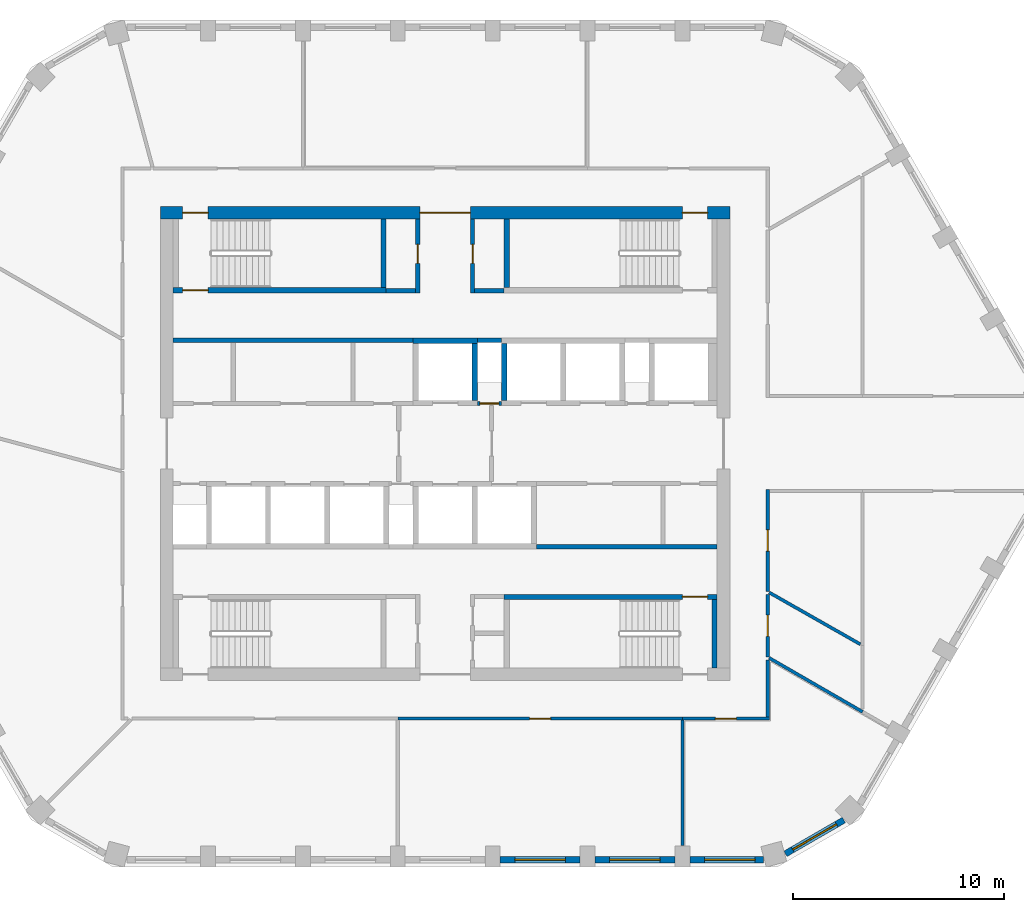
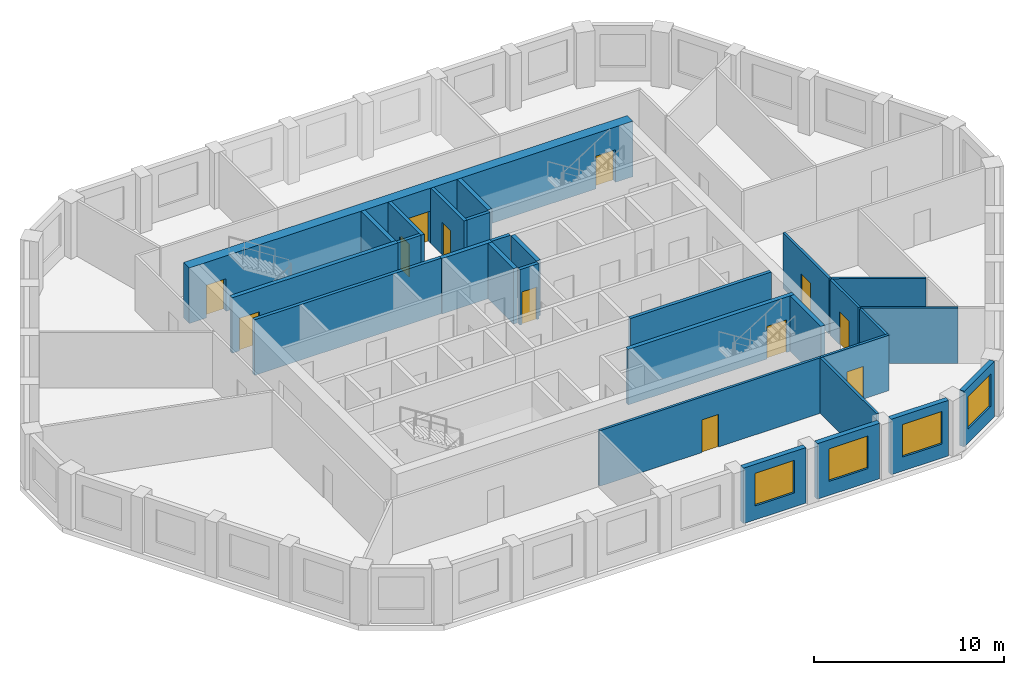
# One storey, part 4 of 10: 29 walls, 12 doors, 4 windows, 16 openings.
"""IFC4 building model written with IfcOpenShell, lengths in metres."""

from ifc_helpers import new_model, si_unit, direction, frame, frame_2d, origin, place, context, subcontext, project, spatial, polyline, rectangle, outline, extrude, material, layer, layer_set, type_object, element, fill, save


model = new_model("IFC4")

# Units and contexts
model_context = context("Model", 3, precision=1e-05, world=origin(), true_north=direction((0.0, 1.0)))
body_context = subcontext(model_context, "Body", "Model", "MODEL_VIEW")
ifc_project = project(units=[si_unit("LENGTHUNIT", "METRE"), si_unit("AREAUNIT", "SQUARE_METRE"), si_unit("VOLUMEUNIT", "CUBIC_METRE"), si_unit("PLANEANGLEUNIT", "RADIAN"), si_unit("MASSUNIT", "GRAM", prefix="KILO")], contexts=[model_context])

# Site, building, storey
site_placement = place(None, origin())
site = spatial("IfcSite", under=ifc_project, at=site_placement, CompositionType="ELEMENT")
building_placement = place(site_placement, origin())
building = spatial("IfcBuilding", under=site, at=building_placement, Name="Dhurran Vertical Campus", CompositionType="ELEMENT")
storey_placement = place(building_placement, frame((0.0, 0.0, 246.89990234375)))
storey = spatial("IfcBuildingStorey", under=building, at=storey_placement, Name="L61", CompositionType="ELEMENT", Elevation=246.89990234375)

# Wall, opening, window
ifc_material_1 = material(Name="Precast concrete C50/60", Category="concrete")
ifc_layer_1 = layer(ifc_material_1, 0.300048828125)
ifc_layer_set_1 = layer_set([ifc_layer_1], Name="Precast concrete C50/60")
wall_type_1 = type_object("IfcWallType", Name="Precast spandrel wall 300", PredefinedType="SOLIDWALL", material=ifc_layer_set_1)
wall_1_placement = place(storey_placement, frame((2.6005859375, -19.738525390625, 0.0), z_axis=(0.0, 0.0, 1.0), x_axis=(1.0, 0.0, 0.0)))
wall_1 = element("IfcWall", 1, at=wall_1_placement, inside=storey, type_object=wall_type_1, Name="EW1 L61.04", PredefinedType="SOLIDWALL", context=body_context, shape_type="SweptSolid", body=[
    extrude(rectangle(XDim=3.798828125, YDim=0.300048828125, at=frame_2d((1.8994140625, 0.0))), origin(), (0.0, 0.0, 1.0), 3.5751953125),
])
opening_1_placement = place(wall_1_placement, frame((0.699462890625, 0.0, 0.89990234375)))
opening_1 = element("IfcOpeningElement", 2, at=opening_1_placement, cuts=wall_1, Name="Opening WT1", PredefinedType="OPENING", context=body_context, shape_type="SweptSolid", body=[
    extrude(rectangle(XDim=2.39990234375, YDim=2.10009765625, at=frame_2d((1.199951171875, 1.050048828125))), frame((0.0, 0.159912109375, 0.0), z_axis=(0.0, -1.0, 0.0), x_axis=(1.0, 0.0, 0.0)), (0.0, 0.0, 1.0), 0.320068359375),
])
ifc_material_2 = material(Name="Aluminium frame with solar-control glass", Category="aluminium")
window_type = type_object("IfcWindowType", Name="Punched window 2400 x 2100", PartitioningType="SINGLE_PANEL", PredefinedType="WINDOW", material=ifc_material_2)
window_1_placement = place(opening_1_placement, origin())
window_1 = element("IfcWindow", 3, at=window_1_placement, inside=storey, type_object=window_type, Name="WT1 L61.04", OverallHeight=2.10009765625, OverallWidth=2.39990234375, PartitioningType="SINGLE_PANEL", PredefinedType="WINDOW", context=body_context, shape_type="SweptSolid", body=[
    extrude(rectangle(XDim=2.39990234375, YDim=2.10009765625, at=frame_2d((1.199951171875, 1.050048828125))), frame((0.0, 0.030029296875, 0.0), z_axis=(0.0, -1.0, 0.0), x_axis=(1.0, 0.0, 0.0)), (0.0, 0.0, 1.0), 0.06005859375),
])
fill(opening_1, window_1)

wall_2_placement = place(storey_placement, frame((7.1005859375, -19.738525390625, 0.0), z_axis=(0.0, 0.0, 1.0), x_axis=(1.0, 0.0, 0.0)))
wall_2 = element("IfcWall", 4, at=wall_2_placement, inside=storey, type_object=wall_type_1, Name="EW1 L61.05", PredefinedType="SOLIDWALL", context=body_context, shape_type="SweptSolid", body=[
    extrude(rectangle(XDim=3.798828125, YDim=0.300048828125, at=frame_2d((1.8994140625, 0.0))), origin(), (0.0, 0.0, 1.0), 3.5751953125),
])
opening_2_placement = place(wall_2_placement, frame((0.699462890625, 0.0, 0.89990234375)))
opening_2 = element("IfcOpeningElement", 5, at=opening_2_placement, cuts=wall_2, Name="Opening WT1", PredefinedType="OPENING", context=body_context, shape_type="SweptSolid", body=[
    extrude(rectangle(XDim=2.39990234375, YDim=2.10009765625, at=frame_2d((1.199951171875, 1.050048828125))), frame((0.0, 0.159912109375, 0.0), z_axis=(0.0, -1.0, 0.0), x_axis=(1.0, 0.0, 0.0)), (0.0, 0.0, 1.0), 0.320068359375),
])
window_2_placement = place(opening_2_placement, origin())
window_2 = element("IfcWindow", 6, at=window_2_placement, inside=storey, type_object=window_type, Name="WT1 L61.05", OverallHeight=2.10009765625, OverallWidth=2.39990234375, PartitioningType="SINGLE_PANEL", PredefinedType="WINDOW", context=body_context, shape_type="SweptSolid", body=[
    extrude(rectangle(XDim=2.39990234375, YDim=2.10009765625, at=frame_2d((1.199951171875, 1.050048828125))), frame((0.0, 0.030029296875, 0.0), z_axis=(0.0, -1.0, 0.0), x_axis=(1.0, 0.0, 0.0)), (0.0, 0.0, 1.0), 0.06005859375),
])
fill(opening_2, window_2)

wall_3_placement = place(storey_placement, frame((11.6005859375, -19.738525390625, 0.0), z_axis=(0.0, 0.0, 1.0), x_axis=(1.0, 0.0, 0.0)))
wall_3 = element("IfcWall", 7, at=wall_3_placement, inside=storey, type_object=wall_type_1, Name="EW1 L61.06", PredefinedType="SOLIDWALL", context=body_context, shape_type="SweptSolid", body=[
    extrude(rectangle(XDim=3.49755859375, YDim=0.300048828125, at=frame_2d((1.748779296875, 0.0))), origin(), (0.0, 0.0, 1.0), 3.5751953125),
])
opening_3_placement = place(wall_3_placement, frame((0.699462890625, 0.0, 0.89990234375)))
opening_3 = element("IfcOpeningElement", 8, at=opening_3_placement, cuts=wall_3, Name="Opening WT1", PredefinedType="OPENING", context=body_context, shape_type="SweptSolid", body=[
    extrude(rectangle(XDim=2.39990234375, YDim=2.10009765625, at=frame_2d((1.199951171875, 1.050048828125))), frame((0.0, 0.159912109375, 0.0), z_axis=(0.0, -1.0, 0.0), x_axis=(1.0, 0.0, 0.0)), (0.0, 0.0, 1.0), 0.320068359375),
])
window_3_placement = place(opening_3_placement, origin())
window_3 = element("IfcWindow", 9, at=window_3_placement, inside=storey, type_object=window_type, Name="WT1 L61.06", OverallHeight=2.10009765625, OverallWidth=2.39990234375, PartitioningType="SINGLE_PANEL", PredefinedType="WINDOW", context=body_context, shape_type="SweptSolid", body=[
    extrude(rectangle(XDim=2.39990234375, YDim=2.10009765625, at=frame_2d((1.199951171875, 1.050048828125))), frame((0.0, 0.030029296875, 0.0), z_axis=(0.0, -1.0, 0.0), x_axis=(1.0, 0.0, 0.0)), (0.0, 0.0, 1.0), 0.06005859375),
])
fill(opening_3, window_3)

wall_4_placement = place(storey_placement, frame((16.1396484375, -19.45947265625, 0.0), z_axis=(0.0, 0.0, 1.0), x_axis=(0.866025316205, 0.500000151692, 0.0)))
wall_4 = element("IfcWall", 10, at=wall_4_placement, inside=storey, type_object=wall_type_1, Name="EW1 L61.07", PredefinedType="SOLIDWALL", context=body_context, shape_type="SweptSolid", body=[
    extrude(rectangle(XDim=3.1962890625, YDim=0.300048828125, at=frame_2d((1.59814453125, 0.0))), origin(), (0.0, 0.0, 1.0), 3.5751953125),
])
opening_4_placement = place(wall_4_placement, frame((0.398193359375, 0.0, 0.89990234375)))
opening_4 = element("IfcOpeningElement", 11, at=opening_4_placement, cuts=wall_4, Name="Opening WT1", PredefinedType="OPENING", context=body_context, shape_type="SweptSolid", body=[
    extrude(rectangle(XDim=2.39990234375, YDim=2.10009765625, at=frame_2d((1.199951171875, 1.050048828125))), frame((0.0, 0.159912109375, 0.0), z_axis=(0.0, -1.0, 0.0), x_axis=(1.0, 0.0, 0.0)), (0.0, 0.0, 1.0), 0.320068359375),
])
window_4_placement = place(opening_4_placement, origin())
window_4 = element("IfcWindow", 12, at=window_4_placement, inside=storey, type_object=window_type, Name="WT1 L61.07", OverallHeight=2.10009765625, OverallWidth=2.39990234375, PartitioningType="SINGLE_PANEL", PredefinedType="WINDOW", context=body_context, shape_type="SweptSolid", body=[
    extrude(rectangle(XDim=2.39990234375, YDim=2.10009765625, at=frame_2d((1.199951171875, 1.050048828125))), frame((0.0, 0.030029296875, 0.0), z_axis=(0.0, -1.0, 0.0), x_axis=(1.0, 0.0, 0.0)), (0.0, 0.0, 1.0), 0.06005859375),
])
fill(opening_4, window_4)

# Wall, openings, doors
ifc_material_3 = material(Name="Concrete C50/60", Category="concrete")
ifc_layer_2 = layer(ifc_material_3, 0.60009765625)
ifc_layer_set_2 = layer_set([ifc_layer_2], Name="Concrete C50/60")
wall_type_2 = type_object("IfcWallType", Name="co-CORE-WALL-C2-600", PredefinedType="SHEAR", material=ifc_layer_set_2)
wall_5_placement = place(storey_placement, frame((-13.5, 10.949951171875, 0.0), z_axis=(0.0, 0.0, 1.0), x_axis=(1.0, 0.0, 0.0)))
wall_5 = element("IfcWall", 13, at=wall_5_placement, inside=storey, type_object=wall_type_2, Name="Core wall N L61", PredefinedType="SHEAR", context=body_context, shape_type="SweptSolid", body=[
    extrude(rectangle(XDim=27.0, YDim=0.60009765625, at=frame_2d((13.5, 0.0))), origin(), (0.0, 0.0, 1.0), 3.5751953125),
])
opening_5_placement = place(wall_5_placement, frame((12.300048828125, 0.0, 0.0)))
opening_5 = element("IfcOpeningElement", 14, at=opening_5_placement, cuts=wall_5, Name="Opening CV1", PredefinedType="OPENING", context=body_context, shape_type="SweptSolid", body=[
    extrude(rectangle(XDim=2.39990234375, YDim=2.10009765625, at=frame_2d((1.199951171875, 1.050048828125))), frame((0.0, 0.31005859375, 0.0), z_axis=(0.0, -1.0, 0.0), x_axis=(1.0, 0.0, 0.0)), (0.0, 0.0, 1.0), 0.6201171875),
])
opening_6_placement = place(wall_5_placement, frame((1.050048828125, 0.0, 0.0)))
opening_6 = element("IfcOpeningElement", 15, at=opening_6_placement, cuts=wall_5, Name="Opening XD1", PredefinedType="OPENING", context=body_context, shape_type="SweptSolid", body=[
    extrude(rectangle(XDim=1.199951171875, YDim=2.10009765625, at=frame_2d((0.60009765625, 1.050048828125))), frame((0.0, 0.31005859375, 0.0), z_axis=(0.0, -1.0, 0.0), x_axis=(1.0, 0.0, 0.0)), (0.0, 0.0, 1.0), 0.6201171875),
])
opening_7_placement = place(wall_5_placement, frame((24.75, 0.0, 0.0)))
opening_7 = element("IfcOpeningElement", 16, at=opening_7_placement, cuts=wall_5, Name="Opening XD2", PredefinedType="OPENING", context=body_context, shape_type="SweptSolid", body=[
    extrude(rectangle(XDim=1.199951171875, YDim=2.10009765625, at=frame_2d((0.60009765625, 1.050048828125))), frame((0.0, 0.31005859375, 0.0), z_axis=(0.0, -1.0, 0.0), x_axis=(1.0, 0.0, 0.0)), (0.0, 0.0, 1.0), 0.6201171875),
])
ifc_material_4 = material(Name="Fire-rated glazed door set")
door_type_1 = type_object("IfcDoorType", Name="co-D-LOBBY 2400x2100", OperationType="DOUBLE_DOOR_DOUBLE_SWING", PredefinedType="DOOR", material=ifc_material_4)
door_1_placement = place(opening_5_placement, origin())
door_1 = element("IfcDoor", 17, at=door_1_placement, inside=storey, type_object=door_type_1, Name="Core vestibule door N L61", OperationType="DOUBLE_DOOR_DOUBLE_SWING", OverallHeight=2.10009765625, OverallWidth=2.39990234375, PredefinedType="DOOR", context=body_context, shape_type="SweptSolid", body=[
    extrude(rectangle(XDim=2.39990234375, YDim=2.10009765625, at=frame_2d((1.199951171875, 1.050048828125))), frame((0.0, 0.02490234375, 0.0), z_axis=(0.0, -1.0, 0.0), x_axis=(1.0, 0.0, 0.0)), (0.0, 0.0, 1.0), 0.050048828125),
])
fill(opening_5, door_1)
ifc_material_5 = material(Name="Fire-rated steel door set", Category="steel")
door_type_2 = type_object("IfcDoorType", Name="co-D-STAIR-EXIT 1200x2100", OperationType="SINGLE_SWING_RIGHT", PredefinedType="DOOR", material=ifc_material_5)
door_2_placement = place(opening_6_placement, origin())
door_2 = element("IfcDoor", 18, at=door_2_placement, inside=storey, type_object=door_type_2, Name="Stair ST1 exit door L61", OperationType="SINGLE_SWING_RIGHT", OverallHeight=2.10009765625, OverallWidth=1.199951171875, PredefinedType="DOOR", context=body_context, shape_type="SweptSolid", body=[
    extrude(rectangle(XDim=1.199951171875, YDim=2.10009765625, at=frame_2d((0.60009765625, 1.050048828125))), frame((0.0, 0.02490234375, 0.0), z_axis=(0.0, -1.0, 0.0), x_axis=(1.0, 0.0, 0.0)), (0.0, 0.0, 1.0), 0.050048828125),
])
fill(opening_6, door_2)
door_3_placement = place(opening_7_placement, origin())
door_3 = element("IfcDoor", 19, at=door_3_placement, inside=storey, type_object=door_type_2, Name="Stair ST2 exit door L61", OperationType="SINGLE_SWING_RIGHT", OverallHeight=2.10009765625, OverallWidth=1.199951171875, PredefinedType="DOOR", context=body_context, shape_type="SweptSolid", body=[
    extrude(rectangle(XDim=1.199951171875, YDim=2.10009765625, at=frame_2d((0.60009765625, 1.050048828125))), frame((0.0, 0.02490234375, 0.0), z_axis=(0.0, -1.0, 0.0), x_axis=(1.0, 0.0, 0.0)), (0.0, 0.0, 1.0), 0.050048828125),
])
fill(opening_7, door_3)

# Walls
ifc_material_6 = material(Name="Fire-rated masonry blockwork", Category="masonry")
ifc_layer_3 = layer(ifc_material_6, 0.199951171875)
ifc_layer_set_3 = layer_set([ifc_layer_3], Name="Fire-rated masonry blockwork")
wall_type_3 = type_object("IfcWallType", Name="co-FIRE-PARTITION-200", PredefinedType="PARTITIONING", material=ifc_layer_set_3)
for number, where, z_axis, x_axis, name in (
    (20, (-2.800048828125, 7.25, 0.0), (0.0, 0.0, 1.0), (1.0, 0.0, 0.0), "Core partition sl-NW-S L61"),
    (21, (1.39990234375, 7.25, 0.0), (0.0, 0.0, 1.0), (1.0, 0.0, 0.0), "Core partition sl-NE-S L61"),
):
    element("IfcWall", number, at=place(storey_placement, frame(where, z_axis=z_axis, x_axis=x_axis)), inside=storey, type_object=wall_type_3, Name=name, PredefinedType="PARTITIONING", context=body_context, shape_type="SweptSolid", body=[
        extrude(rectangle(XDim=1.400146484375, YDim=0.199951171875, at=frame_2d((0.7001953125, 0.0))), origin(), (0.0, 0.0, 1.0), 3.5751953125),
    ])

# Wall, opening, door
wall_6_placement = place(storey_placement, frame((-1.300048828125, 7.14990234375, 0.0), z_axis=(0.0, 0.0, 1.0), x_axis=(0.0, 1.0, 0.0)))
wall_6 = element("IfcWall", 22, at=wall_6_placement, inside=storey, type_object=wall_type_3, Name="Core partition vest-NW L61", PredefinedType="PARTITIONING", context=body_context, shape_type="SweptSolid", body=[
    extrude(rectangle(XDim=3.5, YDim=0.199951171875, at=frame_2d((1.75, 0.0))), origin(), (0.0, 0.0, 1.0), 3.5751953125),
])
opening_8_placement = place(wall_6_placement, frame((1.39990234375, 0.0, 0.0)))
opening_8 = element("IfcOpeningElement", 23, at=opening_8_placement, cuts=wall_6, Name="Opening T18-C4", PredefinedType="OPENING", context=body_context, shape_type="SweptSolid", body=[
    extrude(rectangle(XDim=0.89990234375, YDim=2.10009765625, at=frame_2d((0.449951171875, 1.050048828125))), frame((0.0, 0.10986328125, 0.0), z_axis=(0.0, -1.0, 0.0), x_axis=(1.0, 0.0, 0.0)), (0.0, 0.0, 1.0), 0.219970703125),
])
ifc_material_7 = material(Name="Fire-rated timber door set", Category="wood")
door_type_3 = type_object("IfcDoorType", Name="co-D-ROOM 900x2100", OperationType="SINGLE_SWING_LEFT", PredefinedType="DOOR", material=ifc_material_7)
door_4_placement = place(opening_8_placement, origin())
door_4 = element("IfcDoor", 24, at=door_4_placement, inside=storey, type_object=door_type_3, Name="Print room door L61", OperationType="SINGLE_SWING_LEFT", OverallHeight=2.10009765625, OverallWidth=0.89990234375, PredefinedType="DOOR", context=body_context, shape_type="SweptSolid", body=[
    extrude(rectangle(XDim=0.89990234375, YDim=2.10009765625, at=frame_2d((0.449951171875, 1.050048828125))), frame((0.0, 0.02490234375, 0.0), z_axis=(0.0, -1.0, 0.0), x_axis=(1.0, 0.0, 0.0)), (0.0, 0.0, 1.0), 0.050048828125),
])
fill(opening_8, door_4)

wall_7_placement = place(storey_placement, frame((1.300048828125, 7.14990234375, 0.0), z_axis=(0.0, 0.0, 1.0), x_axis=(0.0, 1.0, 0.0)))
wall_7 = element("IfcWall", 25, at=wall_7_placement, inside=storey, type_object=wall_type_3, Name="Core partition vest-NE L61", PredefinedType="PARTITIONING", context=body_context, shape_type="SweptSolid", body=[
    extrude(rectangle(XDim=3.5, YDim=0.199951171875, at=frame_2d((1.75, 0.0))), origin(), (0.0, 0.0, 1.0), 3.5751953125),
])
opening_9_placement = place(wall_7_placement, frame((1.39990234375, 0.0, 0.0)))
opening_9 = element("IfcOpeningElement", 26, at=opening_9_placement, cuts=wall_7, Name="Opening T18-C5", PredefinedType="OPENING", context=body_context, shape_type="SweptSolid", body=[
    extrude(rectangle(XDim=0.89990234375, YDim=2.10009765625, at=frame_2d((0.449951171875, 1.050048828125))), frame((0.0, 0.10986328125, 0.0), z_axis=(0.0, -1.0, 0.0), x_axis=(1.0, 0.0, 0.0)), (0.0, 0.0, 1.0), 0.219970703125),
])
door_5_placement = place(opening_9_placement, origin())
door_5 = element("IfcDoor", 27, at=door_5_placement, inside=storey, type_object=door_type_3, Name="Plant room door L61", OperationType="SINGLE_SWING_LEFT", OverallHeight=2.10009765625, OverallWidth=0.89990234375, PredefinedType="DOOR", context=body_context, shape_type="SweptSolid", body=[
    extrude(rectangle(XDim=0.89990234375, YDim=2.10009765625, at=frame_2d((0.449951171875, 1.050048828125))), frame((0.0, 0.02490234375, 0.0), z_axis=(0.0, -1.0, 0.0), x_axis=(1.0, 0.0, 0.0)), (0.0, 0.0, 1.0), 0.050048828125),
])
fill(opening_9, door_5)

# Wall
wall_8_placement = place(storey_placement, frame((-12.89990234375, 4.89990234375, 0.0), z_axis=(0.0, 0.0, 1.0), x_axis=(1.0, 0.0, 0.0)))
element("IfcWall", 28, at=wall_8_placement, inside=storey, type_object=wall_type_3, Name="Core partition fr-N0-b L61", PredefinedType="PARTITIONING", context=body_context, shape_type="SweptSolid", body=[
    extrude(rectangle(XDim=11.375, YDim=0.199951171875, at=frame_2d((5.6875, 0.0))), origin(), (0.0, 0.0, 1.0), 3.5751953125),
])

# Wall, opening, door
wall_9_placement = place(storey_placement, frame((1.52490234375, 1.89990234375, 0.0), z_axis=(0.0, 0.0, 1.0), x_axis=(1.0, 0.0, 0.0)))
wall_9 = element("IfcWall", 29, at=wall_9_placement, inside=storey, type_object=wall_type_3, Name="Core partition fr-N1-f L61", PredefinedType="PARTITIONING", context=body_context, shape_type="SweptSolid", body=[
    extrude(rectangle(XDim=1.150146484375, YDim=0.199951171875, at=frame_2d((0.5751953125, 0.0))), origin(), (0.0, 0.0, 1.0), 3.5751953125),
])
opening_10_placement = place(wall_9_placement, frame((0.125, 0.0, 0.0)))
opening_10 = element("IfcOpeningElement", 30, at=opening_10_placement, cuts=wall_9, Name="Opening T18-C9", PredefinedType="OPENING", context=body_context, shape_type="SweptSolid", body=[
    extrude(rectangle(XDim=0.89990234375, YDim=2.10009765625, at=frame_2d((0.449951171875, 1.050048828125))), frame((0.0, 0.10986328125, 0.0), z_axis=(0.0, -1.0, 0.0), x_axis=(1.0, 0.0, 0.0)), (0.0, 0.0, 1.0), 0.219970703125),
])
door_6_placement = place(opening_10_placement, origin())
door_6 = element("IfcDoor", 31, at=door_6_placement, inside=storey, type_object=door_type_3, Name="Water riser door L61", OperationType="SINGLE_SWING_LEFT", OverallHeight=2.10009765625, OverallWidth=0.89990234375, PredefinedType="DOOR", context=body_context, shape_type="SweptSolid", body=[
    extrude(rectangle(XDim=0.89990234375, YDim=2.10009765625, at=frame_2d((0.449951171875, 1.050048828125))), frame((0.0, 0.02490234375, 0.0), z_axis=(0.0, -1.0, 0.0), x_axis=(1.0, 0.0, 0.0)), (0.0, 0.0, 1.0), 0.050048828125),
])
fill(opening_10, door_6)

# Walls
wall_10_placement = place(storey_placement, frame((1.52490234375, 4.89990234375, 0.0), z_axis=(0.0, 0.0, 1.0), x_axis=(1.0, 0.0, 0.0)))
element("IfcWall", 32, at=wall_10_placement, inside=storey, type_object=wall_type_3, Name="Core partition fr-N1-b L61", PredefinedType="PARTITIONING", context=body_context, shape_type="SweptSolid", body=[
    extrude(rectangle(XDim=1.150146484375, YDim=0.199951171875, at=frame_2d((0.5751953125, 0.0))), origin(), (0.0, 0.0, 1.0), 3.5751953125),
])
wall_11_placement = place(storey_placement, frame((4.324951171875, -4.89990234375, 0.0), z_axis=(0.0, 0.0, 1.0), x_axis=(1.0, 0.0, 0.0)))
element("IfcWall", 33, at=wall_11_placement, inside=storey, type_object=wall_type_3, Name="Core partition fr-S2-b L61", PredefinedType="PARTITIONING", context=body_context, shape_type="SweptSolid", body=[
    extrude(rectangle(XDim=8.574951171875, YDim=0.199951171875, at=frame_2d((4.28759765625, 0.0))), origin(), (0.0, 0.0, 1.0), 3.5751953125),
])
ifc_material_8 = material(Name="Concrete C50/60", Category="concrete")
ifc_layer_4 = layer(ifc_material_8, 0.25)
ifc_layer_set_4 = layer_set([ifc_layer_4], Name="Concrete C50/60")
wall_type_4 = type_object("IfcWallType", Name="co-SHAFT-MASS-250", PredefinedType="SHEAR", material=ifc_layer_set_4)
wall_12_placement = place(storey_placement, origin())
element("IfcWall", 34, at=wall_12_placement, inside=storey, type_object=wall_type_4, Name="Lift shaft wall N L61 1", PredefinedType="SHEAR", context=body_context, shape_type="SweptSolid", body=[
    extrude(outline(polyline([(-1.52490234375, 4.75), (1.52490234375, 4.75), (1.52490234375, 5.0), (-1.52490234375, 5.0), (-1.52490234375, 4.75)])), origin(), (0.0, 0.0, 1.0), 3.5751953125),
])
wall_13_placement = place(storey_placement, origin())
element("IfcWall", 35, at=wall_13_placement, inside=storey, type_object=wall_type_4, Name="Lift shaft wall N L61 5", PredefinedType="SHEAR", context=body_context, shape_type="SweptSolid", body=[
    extrude(outline(polyline([(1.27490234375, 2.050048828125), (1.52490234375, 2.050048828125), (1.52490234375, 4.75), (1.27490234375, 4.75), (1.27490234375, 2.050048828125)])), origin(), (0.0, 0.0, 1.0), 3.5751953125),
])
wall_14_placement = place(storey_placement, origin())
element("IfcWall", 36, at=wall_14_placement, inside=storey, type_object=wall_type_4, Name="Lift shaft wall N L61 6", PredefinedType="SHEAR", context=body_context, shape_type="SweptSolid", body=[
    extrude(outline(polyline([(2.675048828125, 2.050048828125), (2.925048828125, 2.050048828125), (2.925048828125, 4.75), (2.675048828125, 4.75), (2.675048828125, 2.050048828125)])), origin(), (0.0, 0.0, 1.0), 3.5751953125),
])

# Wall, opening, door
ifc_material_9 = material(Name="Concrete C40/50", Category="concrete")
ifc_layer_5 = layer(ifc_material_9, 0.25)
ifc_layer_set_5 = layer_set([ifc_layer_5], Name="Concrete C40/50")
wall_type_5 = type_object("IfcWallType", Name="co-STAIR-WALL-250", PredefinedType="SHEAR", material=ifc_layer_set_5)
wall_15_placement = place(storey_placement, frame((-12.89990234375, 7.27490234375, 0.0), z_axis=(0.0, 0.0, 1.0), x_axis=(1.0, 0.0, 0.0)))
wall_15 = element("IfcWall", 37, at=wall_15_placement, inside=storey, type_object=wall_type_5, Name="Stair ST1 enclosure wall L61", PredefinedType="SHEAR", context=body_context, shape_type="SweptSolid", body=[
    extrude(rectangle(XDim=10.099853515625, YDim=0.25, at=frame_2d((5.0498046875, 0.0))), origin(), (0.0, 0.0, 1.0), 3.5751953125),
])
opening_11_placement = place(wall_15_placement, frame((0.449951171875, 0.0, 0.0)))
opening_11 = element("IfcOpeningElement", 38, at=opening_11_placement, cuts=wall_15, Name="Opening SD1", PredefinedType="OPENING", context=body_context, shape_type="SweptSolid", body=[
    extrude(rectangle(XDim=1.199951171875, YDim=2.10009765625, at=frame_2d((0.60009765625, 1.050048828125))), frame((0.0, 0.135009765625, 0.0), z_axis=(0.0, -1.0, 0.0), x_axis=(1.0, 0.0, 0.0)), (0.0, 0.0, 1.0), 0.27001953125),
])
ifc_material_10 = material(Name="Fire-rated steel door set", Category="steel")
door_type_4 = type_object("IfcDoorType", Name="co-D-STAIR 1200x2100", OperationType="SINGLE_SWING_LEFT", PredefinedType="DOOR", material=ifc_material_10)
door_7_placement = place(opening_11_placement, origin())
door_7 = element("IfcDoor", 39, at=door_7_placement, inside=storey, type_object=door_type_4, Name="Stair ST1 door L61", OperationType="SINGLE_SWING_LEFT", OverallHeight=2.10009765625, OverallWidth=1.199951171875, PredefinedType="DOOR", context=body_context, shape_type="SweptSolid", body=[
    extrude(rectangle(XDim=1.199951171875, YDim=2.10009765625, at=frame_2d((0.60009765625, 1.050048828125))), frame((0.0, 0.02490234375, 0.0), z_axis=(0.0, -1.0, 0.0), x_axis=(1.0, 0.0, 0.0)), (0.0, 0.0, 1.0), 0.050048828125),
])
fill(opening_11, door_7)

# Walls
for number, where, z_axis, x_axis, name in (
    (40, (-2.925048828125, 7.39990234375, 0.0), (0.0, 0.0, 1.0), (0.0, 1.0, 0.0), "Stair ST1 enclosure wall L61"),
    (41, (2.925048828125, 7.39990234375, 0.0), (0.0, 0.0, 1.0), (0.0, 1.0, 0.0), "Stair ST2 enclosure wall L61"),
):
    element("IfcWall", number, at=place(storey_placement, frame(where, z_axis=z_axis, x_axis=x_axis)), inside=storey, type_object=wall_type_5, Name=name, PredefinedType="SHEAR", context=body_context, shape_type="SweptSolid", body=[
        extrude(rectangle(XDim=3.25, YDim=0.25, at=frame_2d((1.625, 0.0))), origin(), (0.0, 0.0, 1.0), 3.5751953125),
    ])

# Wall, opening, door
wall_16_placement = place(storey_placement, frame((2.800048828125, -7.27490234375, 0.0), z_axis=(0.0, 0.0, 1.0), x_axis=(1.0, 0.0, 0.0)))
wall_16 = element("IfcWall", 42, at=wall_16_placement, inside=storey, type_object=wall_type_5, Name="Stair ST4 enclosure wall L61", PredefinedType="SHEAR", context=body_context, shape_type="SweptSolid", body=[
    extrude(rectangle(XDim=10.099853515625, YDim=0.25, at=frame_2d((5.0498046875, 0.0))), origin(), (0.0, 0.0, 1.0), 3.5751953125),
])
opening_12_placement = place(wall_16_placement, frame((8.449951171875, 0.0, 0.0)))
opening_12 = element("IfcOpeningElement", 43, at=opening_12_placement, cuts=wall_16, Name="Opening SD4", PredefinedType="OPENING", context=body_context, shape_type="SweptSolid", body=[
    extrude(rectangle(XDim=1.199951171875, YDim=2.10009765625, at=frame_2d((0.60009765625, 1.050048828125))), frame((0.0, 0.135009765625, 0.0), z_axis=(0.0, -1.0, 0.0), x_axis=(1.0, 0.0, 0.0)), (0.0, 0.0, 1.0), 0.27001953125),
])
door_8_placement = place(opening_12_placement, origin())
door_8 = element("IfcDoor", 44, at=door_8_placement, inside=storey, type_object=door_type_4, Name="Stair ST4 door L61", OperationType="SINGLE_SWING_LEFT", OverallHeight=2.10009765625, OverallWidth=1.199951171875, PredefinedType="DOOR", context=body_context, shape_type="SweptSolid", body=[
    extrude(rectangle(XDim=1.199951171875, YDim=2.10009765625, at=frame_2d((0.60009765625, 1.050048828125))), frame((0.0, 0.02490234375, 0.0), z_axis=(0.0, -1.0, 0.0), x_axis=(1.0, 0.0, 0.0)), (0.0, 0.0, 1.0), 0.050048828125),
])
fill(opening_12, door_8)

# Wall
wall_17_placement = place(storey_placement, frame((12.77490234375, -10.64990234375, 0.0), z_axis=(0.0, 0.0, 1.0), x_axis=(0.0, 1.0, 0.0)))
element("IfcWall", 45, at=wall_17_placement, inside=storey, type_object=wall_type_5, Name="Stair ST4 enclosure wall L61", PredefinedType="SHEAR", context=body_context, shape_type="SweptSolid", body=[
    extrude(rectangle(XDim=3.25, YDim=0.25, at=frame_2d((1.625, 0.0))), origin(), (0.0, 0.0, 1.0), 3.5751953125),
])

# Wall, opening, door
ifc_material_11 = material(Name="Gypsum board corridor wall on steel studs", Category="steel")
ifc_layer_6 = layer(ifc_material_11, 0.14990234375)
ifc_layer_set_6 = layer_set([ifc_layer_6], Name="Gypsum board corridor wall on steel studs")
wall_type_6 = type_object("IfcWallType", Name="fl-CW-150 corridor wall", PredefinedType="PARTITIONING", material=ifc_layer_set_6)
wall_18_placement = place(storey_placement, frame((-2.25, -13.050048828125, 0.0), z_axis=(0.0, 0.0, 1.0), x_axis=(1.0, 0.0, 0.0)))
wall_18 = element("IfcWall", 46, at=wall_18_placement, inside=storey, type_object=wall_type_6, Name="Partition 61-15", PredefinedType="PARTITIONING", context=body_context, shape_type="SweptSolid", body=[
    extrude(rectangle(XDim=13.5, YDim=0.14990234375, at=frame_2d((6.75, 0.0))), origin(), (0.0, 0.0, 1.0), 3.5751953125),
])
opening_13_placement = place(wall_18_placement, frame((6.25, 0.0, 0.0)))
opening_13 = element("IfcOpeningElement", 47, at=opening_13_placement, cuts=wall_18, Name="Opening T18.07", PredefinedType="OPENING", context=body_context, shape_type="SweptSolid", body=[
    extrude(rectangle(XDim=1.0, YDim=2.10009765625, at=frame_2d((0.5, 1.050048828125))), frame((0.0, 0.0849609375, 0.0), z_axis=(0.0, -1.0, 0.0), x_axis=(1.0, 0.0, 0.0)), (0.0, 0.0, 1.0), 0.169921875),
])
ifc_material_12 = material(Name="Solid-core timber door set, fire-rated", Category="wood")
door_type_5 = type_object("IfcDoorType", Name="fl-D-1000x2100", OperationType="SINGLE_SWING_LEFT", PredefinedType="DOOR", material=ifc_material_12)
door_9_placement = place(opening_13_placement, origin())
door_9 = element("IfcDoor", 48, at=door_9_placement, inside=storey, type_object=door_type_5, Name="Door 61.07", OperationType="SINGLE_SWING_RIGHT", OverallHeight=2.10009765625, OverallWidth=1.0, PredefinedType="DOOR", context=body_context, shape_type="SweptSolid", body=[
    extrude(rectangle(XDim=1.0, YDim=2.10009765625, at=frame_2d((0.5, 1.050048828125))), frame((0.0, 0.02490234375, 0.0), z_axis=(0.0, -1.0, 0.0), x_axis=(1.0, 0.0, 0.0)), (0.0, 0.0, 1.0), 0.050048828125),
])
fill(opening_13, door_9)

wall_19_placement = place(storey_placement, frame((11.25, -13.050048828125, 0.0), z_axis=(0.0, 0.0, 1.0), x_axis=(1.0, 0.0, 0.0)))
wall_19 = element("IfcWall", 49, at=wall_19_placement, inside=storey, type_object=wall_type_6, Name="Partition 61-19", PredefinedType="PARTITIONING", context=body_context, shape_type="SweptSolid", body=[
    extrude(rectangle(XDim=4.125, YDim=0.14990234375, at=frame_2d((2.0625, 0.0))), origin(), (0.0, 0.0, 1.0), 3.5751953125),
])
opening_14_placement = place(wall_19_placement, frame((1.5625, 0.0, 0.0)))
opening_14 = element("IfcOpeningElement", 50, at=opening_14_placement, cuts=wall_19, Name="Opening T18.09", PredefinedType="OPENING", context=body_context, shape_type="SweptSolid", body=[
    extrude(rectangle(XDim=1.0, YDim=2.10009765625, at=frame_2d((0.5, 1.050048828125))), frame((0.0, 0.0849609375, 0.0), z_axis=(0.0, -1.0, 0.0), x_axis=(1.0, 0.0, 0.0)), (0.0, 0.0, 1.0), 0.169921875),
])
door_10_placement = place(opening_14_placement, origin())
door_10 = element("IfcDoor", 51, at=door_10_placement, inside=storey, type_object=door_type_5, Name="Door 61.09", OperationType="SINGLE_SWING_RIGHT", OverallHeight=2.10009765625, OverallWidth=1.0, PredefinedType="DOOR", context=body_context, shape_type="SweptSolid", body=[
    extrude(rectangle(XDim=1.0, YDim=2.10009765625, at=frame_2d((0.5, 1.050048828125))), frame((0.0, 0.02490234375, 0.0), z_axis=(0.0, -1.0, 0.0), x_axis=(1.0, 0.0, 0.0)), (0.0, 0.0, 1.0), 0.050048828125),
])
fill(opening_14, door_10)

# Wall
wall_20_placement = place(storey_placement, frame((15.300048828125, -12.97509765625, 0.0), z_axis=(0.0, 0.0, 1.0), x_axis=(0.0, 1.0, 0.0)))
element("IfcWall", 52, at=wall_20_placement, inside=storey, type_object=wall_type_6, Name="Partition 61-20", PredefinedType="PARTITIONING", context=body_context, shape_type="SweptSolid", body=[
    extrude(rectangle(XDim=2.713134765625, YDim=0.14990234375, at=frame_2d((1.3564453125, 0.0))), origin(), (0.0, 0.0, 1.0), 3.5751953125),
])

# Wall, opening, door
wall_21_placement = place(storey_placement, frame((15.300048828125, -10.132080078125, 0.0), z_axis=(0.0, 0.0, 1.0), x_axis=(0.0, 1.0, 0.0)))
wall_21 = element("IfcWall", 53, at=wall_21_placement, inside=storey, type_object=wall_type_6, Name="Partition 61-21", PredefinedType="PARTITIONING", context=body_context, shape_type="SweptSolid", body=[
    extrude(rectangle(XDim=2.97998046875, YDim=0.14990234375, at=frame_2d((1.489990234375, 0.0))), origin(), (0.0, 0.0, 1.0), 3.5751953125),
])
opening_15_placement = place(wall_21_placement, frame((0.989990234375, 0.0, 0.0)))
opening_15 = element("IfcOpeningElement", 54, at=opening_15_placement, cuts=wall_21, Name="Opening T18.10", PredefinedType="OPENING", context=body_context, shape_type="SweptSolid", body=[
    extrude(rectangle(XDim=1.0, YDim=2.10009765625, at=frame_2d((0.5, 1.050048828125))), frame((0.0, 0.0849609375, 0.0), z_axis=(0.0, -1.0, 0.0), x_axis=(1.0, 0.0, 0.0)), (0.0, 0.0, 1.0), 0.169921875),
])
door_11_placement = place(opening_15_placement, origin())
door_11 = element("IfcDoor", 55, at=door_11_placement, inside=storey, type_object=door_type_5, Name="Door 61.10", OperationType="SINGLE_SWING_RIGHT", OverallHeight=2.10009765625, OverallWidth=1.0, PredefinedType="DOOR", context=body_context, shape_type="SweptSolid", body=[
    extrude(rectangle(XDim=1.0, YDim=2.10009765625, at=frame_2d((0.5, 1.050048828125))), frame((0.0, 0.02490234375, 0.0), z_axis=(0.0, -1.0, 0.0), x_axis=(1.0, 0.0, 0.0)), (0.0, 0.0, 1.0), 0.050048828125),
])
fill(opening_15, door_11)

wall_22_placement = place(storey_placement, frame((15.300048828125, -7.027099609375, 0.0), z_axis=(0.0, 0.0, 1.0), x_axis=(0.0, 1.0, 0.0)))
wall_22 = element("IfcWall", 56, at=wall_22_placement, inside=storey, type_object=wall_type_6, Name="Partition 61-23", PredefinedType="PARTITIONING", context=body_context, shape_type="SweptSolid", body=[
    extrude(rectangle(XDim=4.85205078125, YDim=0.14990234375, at=frame_2d((2.426025390625, 0.0))), origin(), (0.0, 0.0, 1.0), 3.5751953125),
])
opening_16_placement = place(wall_22_placement, frame((1.926025390625, 0.0, 0.0)))
opening_16 = element("IfcOpeningElement", 57, at=opening_16_placement, cuts=wall_22, Name="Opening T18.12", PredefinedType="OPENING", context=body_context, shape_type="SweptSolid", body=[
    extrude(rectangle(XDim=1.0, YDim=2.10009765625, at=frame_2d((0.5, 1.050048828125))), frame((0.0, 0.0849609375, 0.0), z_axis=(0.0, -1.0, 0.0), x_axis=(1.0, 0.0, 0.0)), (0.0, 0.0, 1.0), 0.169921875),
])
door_12_placement = place(opening_16_placement, origin())
door_12 = element("IfcDoor", 58, at=door_12_placement, inside=storey, type_object=door_type_5, Name="Door 61.12", OperationType="SINGLE_SWING_RIGHT", OverallHeight=2.10009765625, OverallWidth=1.0, PredefinedType="DOOR", context=body_context, shape_type="SweptSolid", body=[
    extrude(rectangle(XDim=1.0, YDim=2.10009765625, at=frame_2d((0.5, 1.050048828125))), frame((0.0, 0.02490234375, 0.0), z_axis=(0.0, -1.0, 0.0), x_axis=(1.0, 0.0, 0.0)), (0.0, 0.0, 1.0), 0.050048828125),
])
fill(opening_16, door_12)

# Walls
ifc_material_13 = material(Name="Gypsum board partition on steel studs", Category="steel")
ifc_layer_7 = layer(ifc_material_13, 0.14990234375)
ifc_layer_set_7 = layer_set([ifc_layer_7], Name="Gypsum board partition on steel studs")
wall_type_7 = type_object("IfcWallType", Name="fl-PW-150 fixed partition", PredefinedType="PARTITIONING", material=ifc_layer_set_7)
wall_23_placement = place(storey_placement, frame((11.25, -13.125, 0.0), z_axis=(0.0, 0.0, 1.0), x_axis=(0.0, -1.0, 0.0)))
element("IfcWall", 59, at=wall_23_placement, inside=storey, type_object=wall_type_7, Name="Partition 61-18", PredefinedType="PARTITIONING", context=body_context, shape_type="SweptSolid", body=[
    extrude(rectangle(XDim=5.943603515625, YDim=0.14990234375, at=frame_2d((2.9716796875, 0.0))), origin(), (0.0, 0.0, 1.0), 3.5751953125),
])
wall_24_placement = place(storey_placement, frame((15.364990234375, -10.16943359375, 0.0), z_axis=(0.0, 0.0, 1.0), x_axis=(0.866028396804, -0.499994815902, 0.0)))
element("IfcWall", 60, at=wall_24_placement, inside=storey, type_object=wall_type_7, Name="Partition 61-22", PredefinedType="PARTITIONING", context=body_context, shape_type="SweptSolid", body=[
    extrude(rectangle(XDim=5.12109375, YDim=0.14990234375, at=frame_2d((2.560546875, 0.0))), origin(), (0.0, 0.0, 1.0), 3.5751953125),
])
wall_25_placement = place(storey_placement, frame((15.365234375, -7.06396484375, 0.0), z_axis=(0.0, 0.0, 1.0), x_axis=(0.869523611324, -0.493891374039, 0.0)))
element("IfcWall", 61, at=wall_25_placement, inside=storey, type_object=wall_type_7, Name="Partition 61-24", PredefinedType="PARTITIONING", context=body_context, shape_type="SweptSolid", body=[
    extrude(rectangle(XDim=4.975341796875, YDim=0.14990234375, at=frame_2d((2.48779296875, 0.0))), origin(), (0.0, 0.0, 1.0), 3.5751953125),
])

save(model, "model.ifc")
